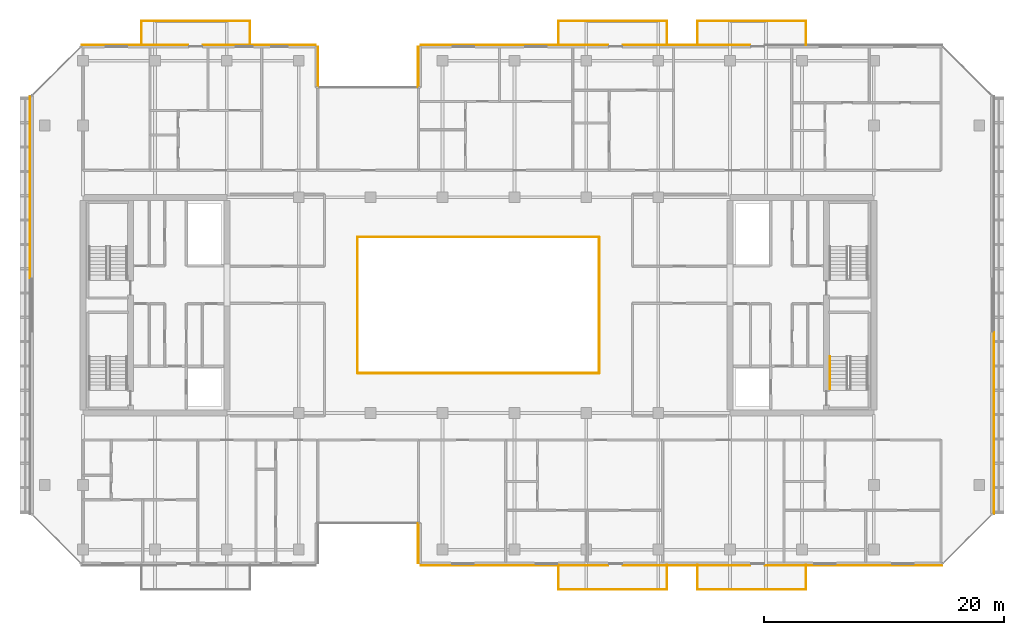
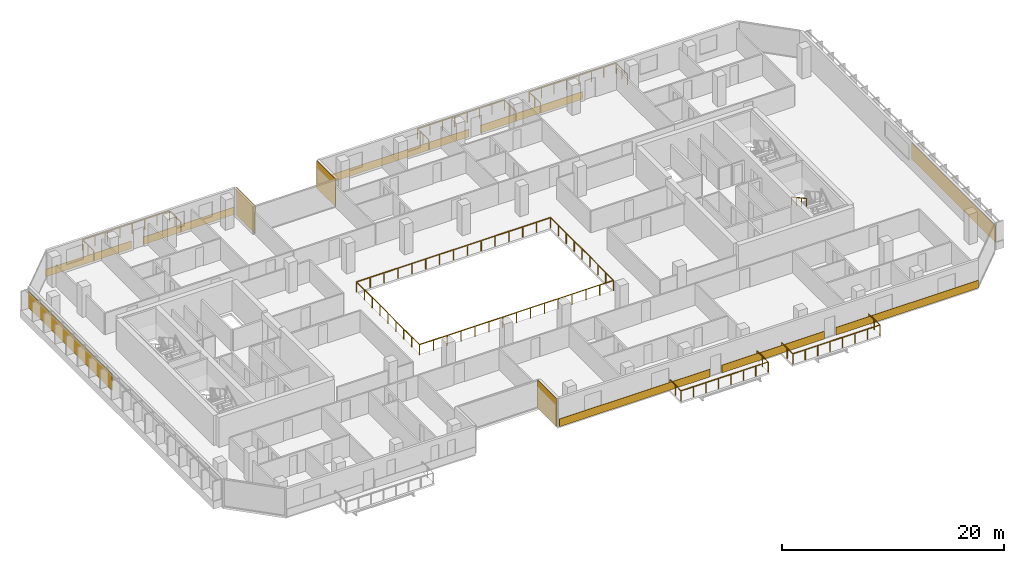
# One storey, part 28 of 29: 12 coverings, 8 railings.
"""IFC4 building model written with IfcOpenShell, lengths in metres."""

from ifc_helpers import new_model, si_unit, direction, frame, origin, origin_2d, place, context, subcontext, project, spatial, rectangle, extrude, material, layer, layer_set, type_object, element, save


model = new_model("IFC4")

# Units and contexts
model_context = context("Model", 3, precision=1e-05, world=origin(), true_north=direction((0.0, 1.0)))
body_context = subcontext(model_context, "Body", "Model", "MODEL_VIEW")
ifc_project = project(units=[si_unit("LENGTHUNIT", "METRE"), si_unit("AREAUNIT", "SQUARE_METRE"), si_unit("VOLUMEUNIT", "CUBIC_METRE"), si_unit("PLANEANGLEUNIT", "RADIAN"), si_unit("MASSUNIT", "GRAM", prefix="KILO")], contexts=[model_context])

# Site, building, storey
site_placement = place(None, origin())
site = spatial("IfcSite", under=ifc_project, at=site_placement, CompositionType="ELEMENT")
building_placement = place(site_placement, origin())
building = spatial("IfcBuilding", under=site, at=building_placement, Name="Tanjung Sevakor Pilgrim Tower", CompositionType="ELEMENT")
storey_placement = place(building_placement, frame((0.0, 0.0, 148.5)))
storey = spatial("IfcBuildingStorey", under=building, at=storey_placement, Name="L41", CompositionType="ELEMENT", Elevation=148.5)

# Coverings
ifc_material_1 = material(Name="Reconstructed Limestone Cladding", Category="masonry")
ifc_layer = layer(ifc_material_1, 0.044921875)
ifc_layer_set = layer_set([ifc_layer], Name="COV-CLAD-LIMESTONE")
covering_type = type_object("IfcCoveringType", Name="COV-CLAD-LIMESTONE", PredefinedType="CLADDING", material=ifc_layer_set)
covering_1_placement = place(storey_placement, frame((51.9775390625, 13.72509765625, 0.02001953125), z_axis=(0.0, 0.0, 1.0), x_axis=(0.0, -1.0, 0.0)))
element("IfcCovering", 1, at=covering_1_placement, inside=storey, type_object=covering_type, Name="L41 Warm Limestone Wall Cladding EW-L41-MAIN-4", PredefinedType="CLADDING", context=body_context, shape_type="SweptSolid", body=[
    extrude(rectangle(XDim=3.360107421875, YDim=0.044921875, at=origin_2d()), origin(), (0.0, 0.0, 1.0), 3.0400390625),
])
covering_2_placement = place(storey_placement, frame((60.00244140625, 11.87744140625, 0.009765625), z_axis=(0.0, 0.0, 1.0), x_axis=(1.0, 0.0, 0.0)))
element("IfcCovering", 2, at=covering_2_placement, inside=storey, type_object=covering_type, Name="L41 Warm Limestone Sill Spandrel EW-L41-MAIN-5-1", PredefinedType="CLADDING", context=body_context, shape_type="SweptSolid", body=[
    extrude(rectangle(XDim=15.675048828125, YDim=0.044921875, at=origin_2d()), origin(), (0.0, 0.0, 1.0), 0.840087890625),
])
covering_3_placement = place(storey_placement, frame((74.375, 11.87744140625, 0.009765625), z_axis=(0.0, 0.0, 1.0), x_axis=(1.0, 0.0, 0.0)))
element("IfcCovering", 3, at=covering_3_placement, inside=storey, type_object=covering_type, Name="L41 Warm Limestone Sill Spandrel EW-L41-MAIN-5-2", PredefinedType="CLADDING", context=body_context, shape_type="SweptSolid", body=[
    extrude(rectangle(XDim=10.6298828125, YDim=0.044921875, at=origin_2d()), origin(), (0.0, 0.0, 1.0), 0.840087890625),
])
covering_4_placement = place(storey_placement, frame((88.30908203125, 11.87744140625, 0.009765625), z_axis=(0.0, 0.0, 1.0), x_axis=(1.0, 0.0, 0.0)))
element("IfcCovering", 4, at=covering_4_placement, inside=storey, type_object=covering_type, Name="L41 Warm Limestone Sill Spandrel EW-L41-MAIN-5-3", PredefinedType="CLADDING", context=body_context, shape_type="SweptSolid", body=[
    extrude(rectangle(XDim=14.798095703125, YDim=0.044921875, at=origin_2d()), origin(), (0.0, 0.0, 1.0), 0.840087890625),
])
covering_5_placement = place(storey_placement, frame((100.0224609375, 23.77099609375, 0.849853515625), z_axis=(0.0, 0.0, 1.0), x_axis=(0.0, 1.0, 0.0)))
element("IfcCovering", 5, at=covering_5_placement, inside=storey, type_object=covering_type, Name="L41 Warm Limestone Pier Panel EW-L41-MAIN-7-1", PredefinedType="CLADDING", context=body_context, shape_type="SweptSolid", body=[
    extrude(rectangle(XDim=15.158203125, YDim=0.044921875, at=origin_2d()), origin(), (0.0, 0.0, 1.0), 1.81005859375),
])
covering_6_placement = place(storey_placement, frame((74.375, 55.322509765625, 0.009765625), z_axis=(0.0, 0.0, 1.0), x_axis=(-1.0, 0.0, 0.0)))
element("IfcCovering", 6, at=covering_6_placement, inside=storey, type_object=covering_type, Name="L41 Warm Limestone Sill Spandrel EW-L41-MAIN-9-2", PredefinedType="CLADDING", context=body_context, shape_type="SweptSolid", body=[
    extrude(rectangle(XDim=10.6298828125, YDim=0.044921875, at=origin_2d()), origin(), (0.0, 0.0, 1.0), 0.840087890625),
])
covering_7_placement = place(storey_placement, frame((60.00244140625, 55.322509765625, 0.009765625), z_axis=(0.0, 0.0, 1.0), x_axis=(-1.0, 0.0, 0.0)))
element("IfcCovering", 7, at=covering_7_placement, inside=storey, type_object=covering_type, Name="L41 Warm Limestone Sill Spandrel EW-L41-MAIN-9-3", PredefinedType="CLADDING", context=body_context, shape_type="SweptSolid", body=[
    extrude(rectangle(XDim=15.675048828125, YDim=0.044921875, at=origin_2d()), origin(), (0.0, 0.0, 1.0), 0.840087890625),
])
for number, where, z_axis, x_axis, name in (
    (8, (51.9775390625, 53.47509765625, 0.02001953125), (0.0, 0.0, 1.0), (0.0, -1.0, 0.0), "L41 Warm Limestone Wall Cladding EW-L41-MAIN-10"),
    (9, (43.62255859375, 53.47509765625, 0.02001953125), (0.0, 0.0, 1.0), (0.0, 1.0, 0.0), "L41 Warm Limestone Wall Cladding EW-L41-MAIN-12"),
):
    element("IfcCovering", number, at=place(storey_placement, frame(where, z_axis=z_axis, x_axis=x_axis)), inside=storey, type_object=covering_type, Name=name, PredefinedType="CLADDING", context=body_context, shape_type="SweptSolid", body=[
        extrude(rectangle(XDim=3.360107421875, YDim=0.044921875, at=origin_2d()), origin(), (0.0, 0.0, 1.0), 3.0400390625),
    ])
covering_8_placement = place(storey_placement, frame((38.722412109375, 55.322509765625, 0.009765625), z_axis=(0.0, 0.0, 1.0), x_axis=(-1.0, 0.0, 0.0)))
element("IfcCovering", 10, at=covering_8_placement, inside=storey, type_object=covering_type, Name="L41 Warm Limestone Sill Spandrel EW-L41-MAIN-13-1", PredefinedType="CLADDING", context=body_context, shape_type="SweptSolid", body=[
    extrude(rectangle(XDim=9.425048828125, YDim=0.044921875, at=origin_2d()), origin(), (0.0, 0.0, 1.0), 0.840087890625),
])
covering_9_placement = place(storey_placement, frame((28.3408203125, 55.322509765625, 0.009765625), z_axis=(0.0, 0.0, 1.0), x_axis=(-1.0, 0.0, 0.0)))
element("IfcCovering", 11, at=covering_9_placement, inside=storey, type_object=covering_type, Name="L41 Warm Limestone Sill Spandrel EW-L41-MAIN-13-2", PredefinedType="CLADDING", context=body_context, shape_type="SweptSolid", body=[
    extrude(rectangle(XDim=8.898193359375, YDim=0.044921875, at=origin_2d()), origin(), (0.0, 0.0, 1.0), 0.840087890625),
])
covering_10_placement = place(storey_placement, frame((19.577392578125, 43.42919921875, 0.849853515625), z_axis=(0.0, 0.0, 1.0), x_axis=(0.0, -1.0, 0.0)))
element("IfcCovering", 12, at=covering_10_placement, inside=storey, type_object=covering_type, Name="L41 Warm Limestone Pier Panel EW-L41-MAIN-15-1", PredefinedType="CLADDING", context=body_context, shape_type="SweptSolid", body=[
    extrude(rectangle(XDim=15.158203125, YDim=0.044921875, at=origin_2d()), origin(), (0.0, 0.0, 1.0), 1.81005859375),
])

# Railings
ifc_material_2 = material(Name="Laminated Glass and Aluminium", Category="aluminium")
railing_type_1 = type_object("IfcRailingType", Name="RL-BAL-BALUST", PredefinedType="BALUSTRADE", material=ifc_material_2)
railing_1_placement = place(storey_placement, frame((46.919921875, 27.919921875, 0.0)))
element("IfcRailing", 13, at=railing_1_placement, inside=storey, type_object=railing_type_1, Name="L41 Void Opening Balustrade 1A", PredefinedType="BALUSTRADE", context=body_context, shape_type="SweptSolid", body=[
    extrude(rectangle(XDim=0.0479, YDim=0.0479), frame((0.0, 0.0, 1.1259765625), z_axis=(1.0, 0.0, 0.0), x_axis=(0.0, 1.0, 0.0)), (0.0, 0.0, 1.0), 20.16015625),
    extrude(rectangle(XDim=0.0479, YDim=0.0479), frame((20.16015625, 0.0, 1.1259765625), z_axis=(0.0, 1.0, 0.0), x_axis=(-1.0, 0.0, 0.0)), (0.0, 0.0, 1.0), 11.360107421875),
    extrude(rectangle(XDim=0.042, YDim=0.042), origin(), (0.0, 0.0, 1.0), 1.101806640625),
    extrude(rectangle(XDim=0.042, YDim=0.042), frame((1.43994140625, 0.0, 0.0)), (0.0, 0.0, 1.0), 1.101806640625),
    extrude(rectangle(XDim=0.042, YDim=0.042), frame((2.880126953125, 0.0, 0.0)), (0.0, 0.0, 1.0), 1.101806640625),
    extrude(rectangle(XDim=0.042, YDim=0.042), frame((4.320068359375, 0.0, 0.0)), (0.0, 0.0, 1.0), 1.101806640625),
    extrude(rectangle(XDim=0.042, YDim=0.042), frame((5.760009765625, 0.0, 0.0)), (0.0, 0.0, 1.0), 1.101806640625),
    extrude(rectangle(XDim=0.042, YDim=0.042), frame((7.199951171875, 0.0, 0.0)), (0.0, 0.0, 1.0), 1.101806640625),
    extrude(rectangle(XDim=0.042, YDim=0.042), frame((8.64013671875, 0.0, 0.0)), (0.0, 0.0, 1.0), 1.101806640625),
    extrude(rectangle(XDim=0.042, YDim=0.042), frame((10.080078125, 0.0, 0.0)), (0.0, 0.0, 1.0), 1.101806640625),
    extrude(rectangle(XDim=0.042, YDim=0.042), frame((11.52001953125, 0.0, 0.0)), (0.0, 0.0, 1.0), 1.101806640625),
    extrude(rectangle(XDim=0.042, YDim=0.042), frame((12.960205078125, 0.0, 0.0)), (0.0, 0.0, 1.0), 1.101806640625),
    extrude(rectangle(XDim=0.042, YDim=0.042), frame((14.400146484375, 0.0, 0.0)), (0.0, 0.0, 1.0), 1.101806640625),
    extrude(rectangle(XDim=0.042, YDim=0.042), frame((15.840087890625, 0.0, 0.0)), (0.0, 0.0, 1.0), 1.101806640625),
    extrude(rectangle(XDim=0.042, YDim=0.042), frame((17.280029296875, 0.0, 0.0)), (0.0, 0.0, 1.0), 1.101806640625),
    extrude(rectangle(XDim=0.042, YDim=0.042), frame((18.72021484375, 0.0, 0.0)), (0.0, 0.0, 1.0), 1.101806640625),
    extrude(rectangle(XDim=0.042, YDim=0.042), frame((20.16015625, 0.0, 0.0)), (0.0, 0.0, 1.0), 1.101806640625),
    extrude(rectangle(XDim=0.042, YDim=0.042), frame((20.16015625, 1.419921875, 0.0)), (0.0, 0.0, 1.0), 1.101806640625),
    extrude(rectangle(XDim=0.042, YDim=0.042), frame((20.16015625, 2.840087890625, 0.0)), (0.0, 0.0, 1.0), 1.101806640625),
    extrude(rectangle(XDim=0.042, YDim=0.042), frame((20.16015625, 4.260009765625, 0.0)), (0.0, 0.0, 1.0), 1.101806640625),
    extrude(rectangle(XDim=0.042, YDim=0.042), frame((20.16015625, 5.68017578125, 0.0)), (0.0, 0.0, 1.0), 1.101806640625),
    extrude(rectangle(XDim=0.042, YDim=0.042), frame((20.16015625, 7.10009765625, 0.0)), (0.0, 0.0, 1.0), 1.101806640625),
    extrude(rectangle(XDim=0.042, YDim=0.042), frame((20.16015625, 8.52001953125, 0.0)), (0.0, 0.0, 1.0), 1.101806640625),
    extrude(rectangle(XDim=0.042, YDim=0.042), frame((20.16015625, 9.940185546875, 0.0)), (0.0, 0.0, 1.0), 1.101806640625),
    extrude(rectangle(XDim=0.042, YDim=0.042), frame((20.16015625, 11.360107421875, 0.0)), (0.0, 0.0, 1.0), 1.101806640625),
])
railing_2_placement = place(storey_placement, frame((67.080078125, 39.280029296875, 0.0)))
element("IfcRailing", 14, at=railing_2_placement, inside=storey, type_object=railing_type_1, Name="L41 Void Opening Balustrade 1B", PredefinedType="BALUSTRADE", context=body_context, shape_type="SweptSolid", body=[
    extrude(rectangle(XDim=0.0479, YDim=0.0479), frame((0.0, 0.0, 1.1259765625), z_axis=(-1.0, 0.0, 0.0), x_axis=(0.0, -1.0, 0.0)), (0.0, 0.0, 1.0), 20.16015625),
    extrude(rectangle(XDim=0.0479, YDim=0.0479), frame((-20.16015625, 0.0, 1.1259765625), z_axis=(0.0, -1.0, 0.0), x_axis=(1.0, 0.0, 0.0)), (0.0, 0.0, 1.0), 11.360107421875),
    extrude(rectangle(XDim=0.042, YDim=0.042), origin(), (0.0, 0.0, 1.0), 1.101806640625),
    extrude(rectangle(XDim=0.042, YDim=0.042), frame((-1.43994140625, 0.0, 0.0)), (0.0, 0.0, 1.0), 1.101806640625),
    extrude(rectangle(XDim=0.042, YDim=0.042), frame((-2.880126953125, 0.0, 0.0)), (0.0, 0.0, 1.0), 1.101806640625),
    extrude(rectangle(XDim=0.042, YDim=0.042), frame((-4.320068359375, 0.0, 0.0)), (0.0, 0.0, 1.0), 1.101806640625),
    extrude(rectangle(XDim=0.042, YDim=0.042), frame((-5.760009765625, 0.0, 0.0)), (0.0, 0.0, 1.0), 1.101806640625),
    extrude(rectangle(XDim=0.042, YDim=0.042), frame((-7.199951171875, 0.0, 0.0)), (0.0, 0.0, 1.0), 1.101806640625),
    extrude(rectangle(XDim=0.042, YDim=0.042), frame((-8.64013671875, 0.0, 0.0)), (0.0, 0.0, 1.0), 1.101806640625),
    extrude(rectangle(XDim=0.042, YDim=0.042), frame((-10.080078125, 0.0, 0.0)), (0.0, 0.0, 1.0), 1.101806640625),
    extrude(rectangle(XDim=0.042, YDim=0.042), frame((-11.52001953125, 0.0, 0.0)), (0.0, 0.0, 1.0), 1.101806640625),
    extrude(rectangle(XDim=0.042, YDim=0.042), frame((-12.960205078125, 0.0, 0.0)), (0.0, 0.0, 1.0), 1.101806640625),
    extrude(rectangle(XDim=0.042, YDim=0.042), frame((-14.400146484375, 0.0, 0.0)), (0.0, 0.0, 1.0), 1.101806640625),
    extrude(rectangle(XDim=0.042, YDim=0.042), frame((-15.840087890625, 0.0, 0.0)), (0.0, 0.0, 1.0), 1.101806640625),
    extrude(rectangle(XDim=0.042, YDim=0.042), frame((-17.280029296875, 0.0, 0.0)), (0.0, 0.0, 1.0), 1.101806640625),
    extrude(rectangle(XDim=0.042, YDim=0.042), frame((-18.72021484375, 0.0, 0.0)), (0.0, 0.0, 1.0), 1.101806640625),
    extrude(rectangle(XDim=0.042, YDim=0.042), frame((-20.16015625, 0.0, 0.0)), (0.0, 0.0, 1.0), 1.101806640625),
    extrude(rectangle(XDim=0.042, YDim=0.042), frame((-20.16015625, -1.419921875, 0.0)), (0.0, 0.0, 1.0), 1.101806640625),
    extrude(rectangle(XDim=0.042, YDim=0.042), frame((-20.16015625, -2.840087890625, 0.0)), (0.0, 0.0, 1.0), 1.101806640625),
    extrude(rectangle(XDim=0.042, YDim=0.042), frame((-20.16015625, -4.260009765625, 0.0)), (0.0, 0.0, 1.0), 1.101806640625),
    extrude(rectangle(XDim=0.042, YDim=0.042), frame((-20.16015625, -5.68017578125, 0.0)), (0.0, 0.0, 1.0), 1.101806640625),
    extrude(rectangle(XDim=0.042, YDim=0.042), frame((-20.16015625, -7.10009765625, 0.0)), (0.0, 0.0, 1.0), 1.101806640625),
    extrude(rectangle(XDim=0.042, YDim=0.042), frame((-20.16015625, -8.52001953125, 0.0)), (0.0, 0.0, 1.0), 1.101806640625),
    extrude(rectangle(XDim=0.042, YDim=0.042), frame((-20.16015625, -9.940185546875, 0.0)), (0.0, 0.0, 1.0), 1.101806640625),
    extrude(rectangle(XDim=0.042, YDim=0.042), frame((-20.16015625, -11.360107421875, 0.0)), (0.0, 0.0, 1.0), 1.101806640625),
])
railing_3_placement = place(storey_placement, frame((28.8798828125, 55.300048828125, 0.0)))
element("IfcRailing", 15, at=railing_3_placement, inside=storey, type_object=railing_type_1, Name="L41 Loggia Balustrade MAIN-N1", PredefinedType="BALUSTRADE", context=body_context, shape_type="SweptSolid", body=[
    extrude(rectangle(XDim=0.0479, YDim=0.0479), frame((0.0, 0.0, 1.1259765625), z_axis=(0.0, 1.0, 0.0), x_axis=(-1.0, 0.0, 0.0)), (0.0, 0.0, 1.0), 2.02001953125),
    extrude(rectangle(XDim=0.0479, YDim=0.0479), frame((0.0, 2.02001953125, 1.1259765625), z_axis=(1.0, 0.0, 0.0), x_axis=(0.0, 1.0, 0.0)), (0.0, 0.0, 1.0), 9.0400390625),
    extrude(rectangle(XDim=0.0479, YDim=0.0479), frame((9.0400390625, 2.02001953125, 1.1259765625), z_axis=(0.0, -1.0, 0.0), x_axis=(1.0, 0.0, 0.0)), (0.0, 0.0, 1.0), 2.02001953125),
    extrude(rectangle(XDim=0.042, YDim=0.042), origin(), (0.0, 0.0, 1.0), 1.101806640625),
    extrude(rectangle(XDim=0.042, YDim=0.042), frame((0.0, 1.010009765625, 0.0)), (0.0, 0.0, 1.0), 1.101806640625),
    extrude(rectangle(XDim=0.042, YDim=0.042), frame((0.0, 2.02001953125, 0.0)), (0.0, 0.0, 1.0), 1.101806640625),
    extrude(rectangle(XDim=0.042, YDim=0.042), frame((1.29150390625, 2.02001953125, 0.0)), (0.0, 0.0, 1.0), 1.101806640625),
    extrude(rectangle(XDim=0.042, YDim=0.042), frame((2.582763671875, 2.02001953125, 0.0)), (0.0, 0.0, 1.0), 1.101806640625),
    extrude(rectangle(XDim=0.042, YDim=0.042), frame((3.874267578125, 2.02001953125, 0.0)), (0.0, 0.0, 1.0), 1.101806640625),
    extrude(rectangle(XDim=0.042, YDim=0.042), frame((5.165771484375, 2.02001953125, 0.0)), (0.0, 0.0, 1.0), 1.101806640625),
    extrude(rectangle(XDim=0.042, YDim=0.042), frame((6.457275390625, 2.02001953125, 0.0)), (0.0, 0.0, 1.0), 1.101806640625),
    extrude(rectangle(XDim=0.042, YDim=0.042), frame((7.74853515625, 2.02001953125, 0.0)), (0.0, 0.0, 1.0), 1.101806640625),
    extrude(rectangle(XDim=0.042, YDim=0.042), frame((9.0400390625, 2.02001953125, 0.0)), (0.0, 0.0, 1.0), 1.101806640625),
    extrude(rectangle(XDim=0.042, YDim=0.042), frame((9.0400390625, 1.010009765625, 0.0)), (0.0, 0.0, 1.0), 1.101806640625),
    extrude(rectangle(XDim=0.042, YDim=0.042), frame((9.0400390625, 0.0, 0.0)), (0.0, 0.0, 1.0), 1.101806640625),
])
railing_4_placement = place(storey_placement, frame((63.679931640625, 11.89990234375, 0.0)))
element("IfcRailing", 16, at=railing_4_placement, inside=storey, type_object=railing_type_1, Name="L41 Loggia Balustrade MAIN-S2", PredefinedType="BALUSTRADE", context=body_context, shape_type="SweptSolid", body=[
    extrude(rectangle(XDim=0.0479, YDim=0.0479), frame((0.0, 0.0, 1.1259765625), z_axis=(0.0, -1.0, 0.0), x_axis=(1.0, 0.0, 0.0)), (0.0, 0.0, 1.0), 2.02001953125),
    extrude(rectangle(XDim=0.0479, YDim=0.0479), frame((0.0, -2.02001953125, 1.1259765625), z_axis=(1.0, 0.0, 0.0), x_axis=(0.0, 1.0, 0.0)), (0.0, 0.0, 1.0), 9.0400390625),
    extrude(rectangle(XDim=0.0479, YDim=0.0479), frame((9.0400390625, -2.02001953125, 1.1259765625), z_axis=(0.0, 1.0, 0.0), x_axis=(-1.0, 0.0, 0.0)), (0.0, 0.0, 1.0), 2.02001953125),
    extrude(rectangle(XDim=0.042, YDim=0.042), origin(), (0.0, 0.0, 1.0), 1.101806640625),
    extrude(rectangle(XDim=0.042, YDim=0.042), frame((0.0, -1.010009765625, 0.0)), (0.0, 0.0, 1.0), 1.101806640625),
    extrude(rectangle(XDim=0.042, YDim=0.042), frame((0.0, -2.02001953125, 0.0)), (0.0, 0.0, 1.0), 1.101806640625),
    extrude(rectangle(XDim=0.042, YDim=0.042), frame((1.29150390625, -2.02001953125, 0.0)), (0.0, 0.0, 1.0), 1.101806640625),
    extrude(rectangle(XDim=0.042, YDim=0.042), frame((2.582763671875, -2.02001953125, 0.0)), (0.0, 0.0, 1.0), 1.101806640625),
    extrude(rectangle(XDim=0.042, YDim=0.042), frame((3.874267578125, -2.02001953125, 0.0)), (0.0, 0.0, 1.0), 1.101806640625),
    extrude(rectangle(XDim=0.042, YDim=0.042), frame((5.165771484375, -2.02001953125, 0.0)), (0.0, 0.0, 1.0), 1.101806640625),
    extrude(rectangle(XDim=0.042, YDim=0.042), frame((6.457275390625, -2.02001953125, 0.0)), (0.0, 0.0, 1.0), 1.101806640625),
    extrude(rectangle(XDim=0.042, YDim=0.042), frame((7.74853515625, -2.02001953125, 0.0)), (0.0, 0.0, 1.0), 1.101806640625),
    extrude(rectangle(XDim=0.042, YDim=0.042), frame((9.0400390625, -2.02001953125, 0.0)), (0.0, 0.0, 1.0), 1.101806640625),
    extrude(rectangle(XDim=0.042, YDim=0.042), frame((9.0400390625, -1.010009765625, 0.0)), (0.0, 0.0, 1.0), 1.101806640625),
    extrude(rectangle(XDim=0.042, YDim=0.042), frame((9.0400390625, 0.0, 0.0)), (0.0, 0.0, 1.0), 1.101806640625),
])
railing_5_placement = place(storey_placement, frame((63.679931640625, 55.300048828125, 0.0)))
element("IfcRailing", 17, at=railing_5_placement, inside=storey, type_object=railing_type_1, Name="L41 Loggia Balustrade MAIN-N2", PredefinedType="BALUSTRADE", context=body_context, shape_type="SweptSolid", body=[
    extrude(rectangle(XDim=0.0479, YDim=0.0479), frame((0.0, 0.0, 1.1259765625), z_axis=(0.0, 1.0, 0.0), x_axis=(-1.0, 0.0, 0.0)), (0.0, 0.0, 1.0), 2.02001953125),
    extrude(rectangle(XDim=0.0479, YDim=0.0479), frame((0.0, 2.02001953125, 1.1259765625), z_axis=(1.0, 0.0, 0.0), x_axis=(0.0, 1.0, 0.0)), (0.0, 0.0, 1.0), 9.0400390625),
    extrude(rectangle(XDim=0.0479, YDim=0.0479), frame((9.0400390625, 2.02001953125, 1.1259765625), z_axis=(0.0, -1.0, 0.0), x_axis=(1.0, 0.0, 0.0)), (0.0, 0.0, 1.0), 2.02001953125),
    extrude(rectangle(XDim=0.042, YDim=0.042), origin(), (0.0, 0.0, 1.0), 1.101806640625),
    extrude(rectangle(XDim=0.042, YDim=0.042), frame((0.0, 1.010009765625, 0.0)), (0.0, 0.0, 1.0), 1.101806640625),
    extrude(rectangle(XDim=0.042, YDim=0.042), frame((0.0, 2.02001953125, 0.0)), (0.0, 0.0, 1.0), 1.101806640625),
    extrude(rectangle(XDim=0.042, YDim=0.042), frame((1.29150390625, 2.02001953125, 0.0)), (0.0, 0.0, 1.0), 1.101806640625),
    extrude(rectangle(XDim=0.042, YDim=0.042), frame((2.582763671875, 2.02001953125, 0.0)), (0.0, 0.0, 1.0), 1.101806640625),
    extrude(rectangle(XDim=0.042, YDim=0.042), frame((3.874267578125, 2.02001953125, 0.0)), (0.0, 0.0, 1.0), 1.101806640625),
    extrude(rectangle(XDim=0.042, YDim=0.042), frame((5.165771484375, 2.02001953125, 0.0)), (0.0, 0.0, 1.0), 1.101806640625),
    extrude(rectangle(XDim=0.042, YDim=0.042), frame((6.457275390625, 2.02001953125, 0.0)), (0.0, 0.0, 1.0), 1.101806640625),
    extrude(rectangle(XDim=0.042, YDim=0.042), frame((7.74853515625, 2.02001953125, 0.0)), (0.0, 0.0, 1.0), 1.101806640625),
    extrude(rectangle(XDim=0.042, YDim=0.042), frame((9.0400390625, 2.02001953125, 0.0)), (0.0, 0.0, 1.0), 1.101806640625),
    extrude(rectangle(XDim=0.042, YDim=0.042), frame((9.0400390625, 1.010009765625, 0.0)), (0.0, 0.0, 1.0), 1.101806640625),
    extrude(rectangle(XDim=0.042, YDim=0.042), frame((9.0400390625, 0.0, 0.0)), (0.0, 0.0, 1.0), 1.101806640625),
])
railing_6_placement = place(storey_placement, frame((75.280029296875, 11.89990234375, 0.0)))
element("IfcRailing", 18, at=railing_6_placement, inside=storey, type_object=railing_type_1, Name="L41 Loggia Balustrade MAIN-S3", PredefinedType="BALUSTRADE", context=body_context, shape_type="SweptSolid", body=[
    extrude(rectangle(XDim=0.0479, YDim=0.0479), frame((0.0, 0.0, 1.1259765625), z_axis=(0.0, -1.0, 0.0), x_axis=(1.0, 0.0, 0.0)), (0.0, 0.0, 1.0), 2.02001953125),
    extrude(rectangle(XDim=0.0479, YDim=0.0479), frame((0.0, -2.02001953125, 1.1259765625), z_axis=(1.0, 0.0, 0.0), x_axis=(0.0, 1.0, 0.0)), (0.0, 0.0, 1.0), 9.0400390625),
    extrude(rectangle(XDim=0.0479, YDim=0.0479), frame((9.0400390625, -2.02001953125, 1.1259765625), z_axis=(0.0, 1.0, 0.0), x_axis=(-1.0, 0.0, 0.0)), (0.0, 0.0, 1.0), 2.02001953125),
    extrude(rectangle(XDim=0.042, YDim=0.042), origin(), (0.0, 0.0, 1.0), 1.101806640625),
    extrude(rectangle(XDim=0.042, YDim=0.042), frame((0.0, -1.010009765625, 0.0)), (0.0, 0.0, 1.0), 1.101806640625),
    extrude(rectangle(XDim=0.042, YDim=0.042), frame((0.0, -2.02001953125, 0.0)), (0.0, 0.0, 1.0), 1.101806640625),
    extrude(rectangle(XDim=0.042, YDim=0.042), frame((1.29150390625, -2.02001953125, 0.0)), (0.0, 0.0, 1.0), 1.101806640625),
    extrude(rectangle(XDim=0.042, YDim=0.042), frame((2.582763671875, -2.02001953125, 0.0)), (0.0, 0.0, 1.0), 1.101806640625),
    extrude(rectangle(XDim=0.042, YDim=0.042), frame((3.874267578125, -2.02001953125, 0.0)), (0.0, 0.0, 1.0), 1.101806640625),
    extrude(rectangle(XDim=0.042, YDim=0.042), frame((5.165771484375, -2.02001953125, 0.0)), (0.0, 0.0, 1.0), 1.101806640625),
    extrude(rectangle(XDim=0.042, YDim=0.042), frame((6.457275390625, -2.02001953125, 0.0)), (0.0, 0.0, 1.0), 1.101806640625),
    extrude(rectangle(XDim=0.042, YDim=0.042), frame((7.74853515625, -2.02001953125, 0.0)), (0.0, 0.0, 1.0), 1.101806640625),
    extrude(rectangle(XDim=0.042, YDim=0.042), frame((9.0400390625, -2.02001953125, 0.0)), (0.0, 0.0, 1.0), 1.101806640625),
    extrude(rectangle(XDim=0.042, YDim=0.042), frame((9.0400390625, -1.010009765625, 0.0)), (0.0, 0.0, 1.0), 1.101806640625),
    extrude(rectangle(XDim=0.042, YDim=0.042), frame((9.0400390625, 0.0, 0.0)), (0.0, 0.0, 1.0), 1.101806640625),
])
railing_7_placement = place(storey_placement, frame((75.280029296875, 55.300048828125, 0.0)))
element("IfcRailing", 19, at=railing_7_placement, inside=storey, type_object=railing_type_1, Name="L41 Loggia Balustrade MAIN-N3", PredefinedType="BALUSTRADE", context=body_context, shape_type="SweptSolid", body=[
    extrude(rectangle(XDim=0.0479, YDim=0.0479), frame((0.0, 0.0, 1.1259765625), z_axis=(0.0, 1.0, 0.0), x_axis=(-1.0, 0.0, 0.0)), (0.0, 0.0, 1.0), 2.02001953125),
    extrude(rectangle(XDim=0.0479, YDim=0.0479), frame((0.0, 2.02001953125, 1.1259765625), z_axis=(1.0, 0.0, 0.0), x_axis=(0.0, 1.0, 0.0)), (0.0, 0.0, 1.0), 9.0400390625),
    extrude(rectangle(XDim=0.0479, YDim=0.0479), frame((9.0400390625, 2.02001953125, 1.1259765625), z_axis=(0.0, -1.0, 0.0), x_axis=(1.0, 0.0, 0.0)), (0.0, 0.0, 1.0), 2.02001953125),
    extrude(rectangle(XDim=0.042, YDim=0.042), origin(), (0.0, 0.0, 1.0), 1.101806640625),
    extrude(rectangle(XDim=0.042, YDim=0.042), frame((0.0, 1.010009765625, 0.0)), (0.0, 0.0, 1.0), 1.101806640625),
    extrude(rectangle(XDim=0.042, YDim=0.042), frame((0.0, 2.02001953125, 0.0)), (0.0, 0.0, 1.0), 1.101806640625),
    extrude(rectangle(XDim=0.042, YDim=0.042), frame((1.29150390625, 2.02001953125, 0.0)), (0.0, 0.0, 1.0), 1.101806640625),
    extrude(rectangle(XDim=0.042, YDim=0.042), frame((2.582763671875, 2.02001953125, 0.0)), (0.0, 0.0, 1.0), 1.101806640625),
    extrude(rectangle(XDim=0.042, YDim=0.042), frame((3.874267578125, 2.02001953125, 0.0)), (0.0, 0.0, 1.0), 1.101806640625),
    extrude(rectangle(XDim=0.042, YDim=0.042), frame((5.165771484375, 2.02001953125, 0.0)), (0.0, 0.0, 1.0), 1.101806640625),
    extrude(rectangle(XDim=0.042, YDim=0.042), frame((6.457275390625, 2.02001953125, 0.0)), (0.0, 0.0, 1.0), 1.101806640625),
    extrude(rectangle(XDim=0.042, YDim=0.042), frame((7.74853515625, 2.02001953125, 0.0)), (0.0, 0.0, 1.0), 1.101806640625),
    extrude(rectangle(XDim=0.042, YDim=0.042), frame((9.0400390625, 2.02001953125, 0.0)), (0.0, 0.0, 1.0), 1.101806640625),
    extrude(rectangle(XDim=0.042, YDim=0.042), frame((9.0400390625, 1.010009765625, 0.0)), (0.0, 0.0, 1.0), 1.101806640625),
    extrude(rectangle(XDim=0.042, YDim=0.042), frame((9.0400390625, 0.0, 0.0)), (0.0, 0.0, 1.0), 1.101806640625),
])
ifc_material_3 = material(Name="Steel S355J2", Category="steel")
railing_type_2 = type_object("IfcRailingType", Name="RL-STAIR-HAND", PredefinedType="HANDRAIL", material=ifc_material_3)
railing_8_placement = place(storey_placement, frame((86.35009765625, 29.300048828125, 1.81494140625)))
element("IfcRailing", 20, at=railing_8_placement, inside=storey, type_object=railing_type_2, Name="L41 TS-E1 stair handrail 2", PredefinedType="HANDRAIL", context=body_context, shape_type="SweptSolid", body=[
    extrude(rectangle(XDim=0.0479, YDim=0.0479), frame((0.0, 0.0, 0.8759765625), z_axis=(0.0, -0.876197507361, 0.481952205197), x_axis=(1.0, 0.0, 0.0)), (0.0, 0.0, 1.0), 3.08154296875),
    extrude(rectangle(XDim=0.042, YDim=0.042), origin(), (0.0, 0.0, 1.0), 0.851806640625),
    extrude(rectangle(XDim=0.042, YDim=0.042), frame((0.0, -0.89990234375, 0.4951171875)), (0.0, 0.0, 1.0), 0.851806640625),
    extrude(rectangle(XDim=0.042, YDim=0.042), frame((0.0, -1.800048828125, 0.989990234375)), (0.0, 0.0, 1.0), 0.851806640625),
    extrude(rectangle(XDim=0.042, YDim=0.042), frame((0.0, -2.699951171875, 1.485107421875)), (0.0, 0.0, 1.0), 0.851806640625),
])

save(model, "model.ifc")
